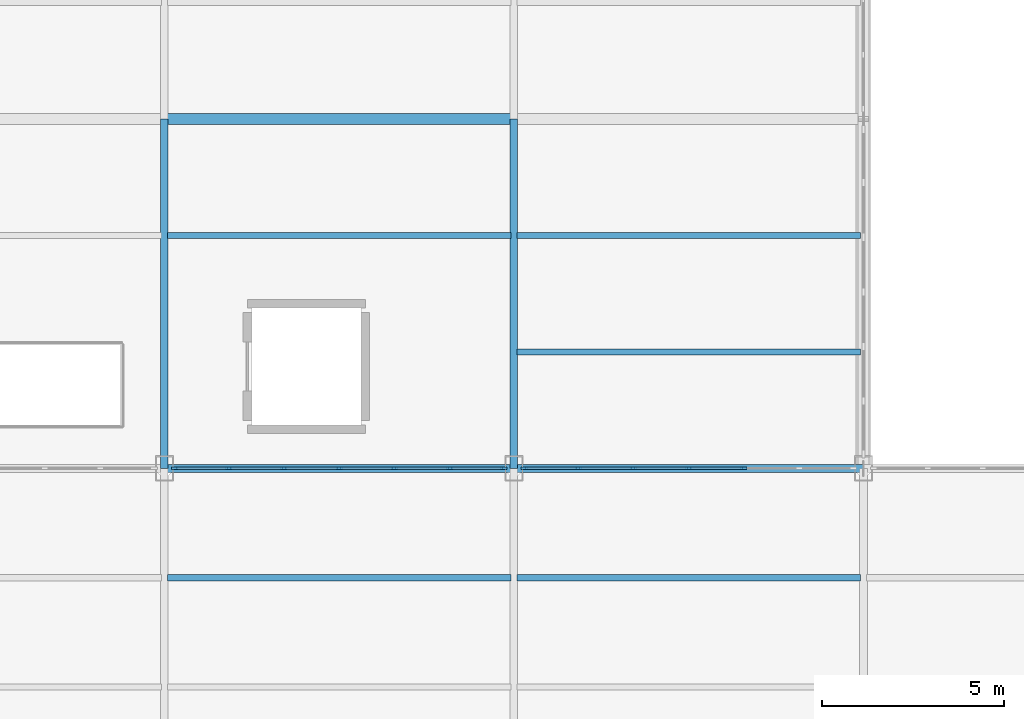
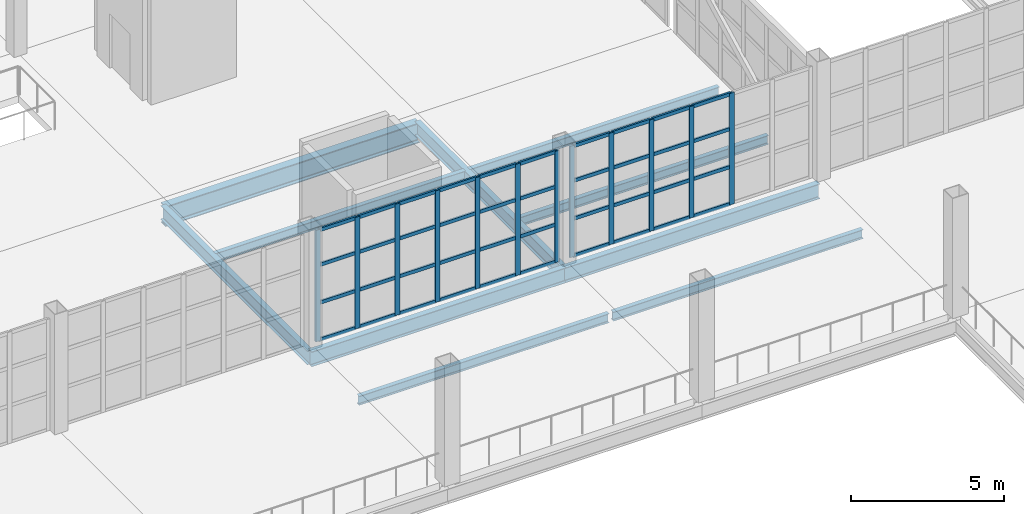
# One storey, part 46 of 120: 52 members, 10 beams, 2 elements without a shape of their own.
"""IFC4 building model written with IfcOpenShell, lengths in metres."""

from ifc_helpers import new_model, si_unit, direction, frame, origin, origin_2d, place, context, subcontext, project, spatial, rectangle, i_section, extrude, material, layer, layer_set, material_profile, profile_set, type_object, element, aggregate, save


model = new_model("IFC4")

# Units and contexts
model_context = context("Model", 3, precision=1e-05, world=origin(), true_north=direction((0.0, 1.0)))
body_context = subcontext(model_context, "Body", "Model", "MODEL_VIEW")
ifc_project = project(units=[si_unit("LENGTHUNIT", "METRE"), si_unit("AREAUNIT", "SQUARE_METRE"), si_unit("VOLUMEUNIT", "CUBIC_METRE"), si_unit("PLANEANGLEUNIT", "RADIAN"), si_unit("MASSUNIT", "GRAM", prefix="KILO")], contexts=[model_context])

# Site, building, storey
site_placement = place(None, origin())
site = spatial("IfcSite", under=ifc_project, at=site_placement, CompositionType="ELEMENT")
building_placement = place(site_placement, origin())
building = spatial("IfcBuilding", under=site, at=building_placement, Name="Zarnetskaya Central Station", CompositionType="ELEMENT")
storey_placement = place(building_placement, frame((0.0, 0.0, 5.39990234375)))
storey = spatial("IfcBuildingStorey", under=building, at=storey_placement, Name="L01", CompositionType="ELEMENT", Elevation=5.39990234375)

# Beams
ifc_material_1 = material(Name="Steel S355", Category="steel")
ifc_material_profile_1 = material_profile(ifc_material_1, i_section(OverallWidth=0.169921875, OverallDepth=0.360107421875, WebThickness=0.008056640625, FlangeThickness=0.0126953125, FilletRadius=0.01806640625, at=origin_2d()), Name="IPE 360")
ifc_profile_set_1 = profile_set([ifc_material_profile_1], Name="Steel S355")
beam_type_1 = type_object("IfcBeamType", Name="BM-SEC-360", PredefinedType="BEAM", material=ifc_profile_set_1)
beam_1_placement = place(storey_placement, frame((96.080078125, 64.199951171875, -0.4599609375), z_axis=(1.0, 0.0, 0.0), x_axis=(0.0, 1.0, 0.0)))
element("IfcBeam", 1, at=beam_1_placement, inside=storey, type_object=beam_type_1, Name="Secondary floor beam SEC-L01-Z512-LM-89-2", PredefinedType="BEAM", context=body_context, shape_type="SweptSolid", body=[
    extrude(i_section(OverallWidth=0.169921875, OverallDepth=0.360107421875, WebThickness=0.008056640625, FlangeThickness=0.0126953125, FilletRadius=0.01806640625, at=origin_2d()), origin(), (0.0, 0.0, 1.0), 9.43994140625),
])
beam_2_placement = place(storey_placement, frame((105.679931640625, 64.199951171875, -0.4599609375), z_axis=(1.0, 0.0, 0.0), x_axis=(0.0, 1.0, 0.0)))
element("IfcBeam", 2, at=beam_2_placement, inside=storey, type_object=beam_type_1, Name="Secondary floor beam SEC-L01-Z512-MN-89-2", PredefinedType="BEAM", context=body_context, shape_type="SweptSolid", body=[
    extrude(i_section(OverallWidth=0.169921875, OverallDepth=0.360107421875, WebThickness=0.008056640625, FlangeThickness=0.0126953125, FilletRadius=0.01806640625, at=origin_2d()), origin(), (0.0, 0.0, 1.0), 9.440185546875),
])
beam_3_placement = place(storey_placement, frame((96.080078125, 73.60009765625, -0.4599609375), z_axis=(1.0, 0.0, 0.0), x_axis=(0.0, 1.0, 0.0)))
element("IfcBeam", 3, at=beam_3_placement, inside=storey, type_object=beam_type_1, Name="Secondary floor beam SEC-L01-Z512-LM-910-2", PredefinedType="BEAM", context=body_context, shape_type="SweptSolid", body=[
    extrude(i_section(OverallWidth=0.169921875, OverallDepth=0.360107421875, WebThickness=0.008056640625, FlangeThickness=0.0126953125, FilletRadius=0.01806640625, at=origin_2d()), origin(), (0.0, 0.0, 1.0), 9.43994140625),
])
for number, where, z_axis, x_axis, name in (
    (4, (105.679931640625, 70.39990234375, -0.4599609375), (1.0, 0.0, 0.0), (0.0, 1.0, 0.0), "Secondary floor beam SEC-L01-Z512-MN-910-1"),
    (5, (105.679931640625, 73.60009765625, -0.4599609375), (1.0, 0.0, 0.0), (0.0, 1.0, 0.0), "Secondary floor beam SEC-L01-Z512-MN-910-2"),
):
    element("IfcBeam", number, at=place(storey_placement, frame(where, z_axis=z_axis, x_axis=x_axis)), inside=storey, type_object=beam_type_1, Name=name, PredefinedType="BEAM", context=body_context, shape_type="SweptSolid", body=[
        extrude(i_section(OverallWidth=0.169921875, OverallDepth=0.360107421875, WebThickness=0.008056640625, FlangeThickness=0.0126953125, FilletRadius=0.01806640625, at=origin_2d()), origin(), (0.0, 0.0, 1.0), 9.440185546875),
    ])

# Curtain wall, members
ifc_material_2 = material(Name="Low-E insulated glass", Category="glass")
ifc_layer_1 = layer(ifc_material_2, 0.176025390625, Name="Low-E insulated glass", Category="glass")
ifc_layer_set_1 = layer_set([ifc_layer_1], Name="Low-E insulated glass")
curtain_wall_type_1 = type_object("IfcCurtainWallType", Name="CW-SYS-15", PredefinedType="USERDEFINED", material=ifc_layer_set_1)
curtain_wall_1_placement = place(storey_placement, origin())
curtain_wall_1 = element("IfcCurtainWall", 6, at=curtain_wall_1_placement, inside=storey, type_object=curtain_wall_type_1, Name="Curtain wall CW-L01-083", ObjectType="CURTAIN WALL", PredefinedType="USERDEFINED")
ifc_material_3 = material(Name="Anodised aluminium", Category="aluminium")
ifc_material_profile_2 = material_profile(ifc_material_3, rectangle(XDim=0.070068359375, YDim=0.179931640625, at=origin_2d()), Name="ALU MULL 70x180")
ifc_profile_set_2 = profile_set([ifc_material_profile_2], Name="Anodised aluminium")
member_type_1 = type_object("IfcMemberType", Name="CW-MULL-180", PredefinedType="MULLION", material=ifc_profile_set_2)
member_1_placement = place(storey_placement, frame((96.284912109375, 67.199951171875, 0.0), z_axis=(0.0, 0.0, 1.0), x_axis=(0.0, 1.0, 0.0)))
member_1 = element("IfcMember", 7, at=member_1_placement, type_object=member_type_1, Name="CW-05 mullion 1", PredefinedType="MULLION", context=body_context, shape_type="SweptSolid", body=[
    extrude(rectangle(XDim=0.070068359375, YDim=0.179931640625, at=origin_2d()), origin(), (0.0, 0.0, 1.0), 4.4501953125),
])
member_2_placement = place(storey_placement, frame((97.7666015625, 67.199951171875, 0.0), z_axis=(0.0, 0.0, 1.0), x_axis=(0.0, 1.0, 0.0)))
member_2 = element("IfcMember", 8, at=member_2_placement, type_object=member_type_1, Name="CW-05 mullion 2", PredefinedType="MULLION", context=body_context, shape_type="SweptSolid", body=[
    extrude(rectangle(XDim=0.070068359375, YDim=0.179931640625, at=origin_2d()), origin(), (0.0, 0.0, 1.0), 4.4501953125),
])
member_3_placement = place(storey_placement, frame((99.283447265625, 67.199951171875, 0.0), z_axis=(0.0, 0.0, 1.0), x_axis=(0.0, 1.0, 0.0)))
member_3 = element("IfcMember", 9, at=member_3_placement, type_object=member_type_1, Name="CW-05 mullion 3", PredefinedType="MULLION", context=body_context, shape_type="SweptSolid", body=[
    extrude(rectangle(XDim=0.070068359375, YDim=0.179931640625, at=origin_2d()), origin(), (0.0, 0.0, 1.0), 4.4501953125),
])
member_4_placement = place(storey_placement, frame((100.800048828125, 67.199951171875, 0.0), z_axis=(0.0, 0.0, 1.0), x_axis=(0.0, 1.0, 0.0)))
member_4 = element("IfcMember", 10, at=member_4_placement, type_object=member_type_1, Name="CW-05 mullion 4", PredefinedType="MULLION", context=body_context, shape_type="SweptSolid", body=[
    extrude(rectangle(XDim=0.070068359375, YDim=0.179931640625, at=origin_2d()), origin(), (0.0, 0.0, 1.0), 4.4501953125),
])
member_5_placement = place(storey_placement, frame((102.316650390625, 67.199951171875, 0.0), z_axis=(0.0, 0.0, 1.0), x_axis=(0.0, 1.0, 0.0)))
member_5 = element("IfcMember", 11, at=member_5_placement, type_object=member_type_1, Name="CW-05 mullion 5", PredefinedType="MULLION", context=body_context, shape_type="SweptSolid", body=[
    extrude(rectangle(XDim=0.070068359375, YDim=0.179931640625, at=origin_2d()), origin(), (0.0, 0.0, 1.0), 4.4501953125),
])
member_6_placement = place(storey_placement, frame((103.833251953125, 67.199951171875, 0.0), z_axis=(0.0, 0.0, 1.0), x_axis=(0.0, 1.0, 0.0)))
member_6 = element("IfcMember", 12, at=member_6_placement, type_object=member_type_1, Name="CW-05 mullion 6", PredefinedType="MULLION", context=body_context, shape_type="SweptSolid", body=[
    extrude(rectangle(XDim=0.070068359375, YDim=0.179931640625, at=origin_2d()), origin(), (0.0, 0.0, 1.0), 4.4501953125),
])
member_7_placement = place(storey_placement, frame((105.31494140625, 67.199951171875, 0.0), z_axis=(0.0, 0.0, 1.0), x_axis=(0.0, 1.0, 0.0)))
member_7 = element("IfcMember", 13, at=member_7_placement, type_object=member_type_1, Name="CW-05 mullion 7", PredefinedType="MULLION", context=body_context, shape_type="SweptSolid", body=[
    extrude(rectangle(XDim=0.070068359375, YDim=0.179931640625, at=origin_2d()), origin(), (0.0, 0.0, 1.0), 4.4501953125),
])

ifc_layer_2 = layer(ifc_material_2, 0.159912109375, Name="Low-E insulated glass", Category="glass")
ifc_layer_set_2 = layer_set([ifc_layer_2], Name="Low-E insulated glass")
curtain_wall_type_2 = type_object("IfcCurtainWallType", Name="CW-SYS-16", PredefinedType="USERDEFINED", material=ifc_layer_set_2)
curtain_wall_2_placement = place(storey_placement, origin())
curtain_wall_2 = element("IfcCurtainWall", 14, at=curtain_wall_2_placement, inside=storey, type_object=curtain_wall_type_2, Name="Curtain wall CW-L01-085", ObjectType="CURTAIN WALL", PredefinedType="USERDEFINED")
member_8_placement = place(storey_placement, frame((105.885009765625, 67.199951171875, 0.0), z_axis=(0.0, 0.0, 1.0), x_axis=(0.0, 1.0, 0.0)))
member_8 = element("IfcMember", 15, at=member_8_placement, type_object=member_type_1, Name="CW-11 mullion 1", PredefinedType="MULLION", context=body_context, shape_type="SweptSolid", body=[
    extrude(rectangle(XDim=0.070068359375, YDim=0.179931640625, at=origin_2d()), origin(), (0.0, 0.0, 1.0), 4.4501953125),
])
member_9_placement = place(storey_placement, frame((107.36669921875, 67.199951171875, 0.0), z_axis=(0.0, 0.0, 1.0), x_axis=(0.0, 1.0, 0.0)))
member_9 = element("IfcMember", 16, at=member_9_placement, type_object=member_type_1, Name="CW-11 mullion 2", PredefinedType="MULLION", context=body_context, shape_type="SweptSolid", body=[
    extrude(rectangle(XDim=0.070068359375, YDim=0.179931640625, at=origin_2d()), origin(), (0.0, 0.0, 1.0), 4.4501953125),
])
member_10_placement = place(storey_placement, frame((108.88330078125, 67.199951171875, 0.0), z_axis=(0.0, 0.0, 1.0), x_axis=(0.0, 1.0, 0.0)))
member_10 = element("IfcMember", 17, at=member_10_placement, type_object=member_type_1, Name="CW-11 mullion 3", PredefinedType="MULLION", context=body_context, shape_type="SweptSolid", body=[
    extrude(rectangle(XDim=0.070068359375, YDim=0.179931640625, at=origin_2d()), origin(), (0.0, 0.0, 1.0), 4.4501953125),
])
member_11_placement = place(storey_placement, frame((110.39990234375, 67.199951171875, 0.0), z_axis=(0.0, 0.0, 1.0), x_axis=(0.0, 1.0, 0.0)))
member_11 = element("IfcMember", 18, at=member_11_placement, type_object=member_type_1, Name="CW-11 mullion 4", PredefinedType="MULLION", context=body_context, shape_type="SweptSolid", body=[
    extrude(rectangle(XDim=0.070068359375, YDim=0.179931640625, at=origin_2d()), origin(), (0.0, 0.0, 1.0), 4.4501953125),
])
member_12_placement = place(storey_placement, frame((111.916748046875, 67.199951171875, 0.0), z_axis=(0.0, 0.0, 1.0), x_axis=(0.0, 1.0, 0.0)))
member_12 = element("IfcMember", 19, at=member_12_placement, type_object=member_type_1, Name="CW-11 mullion 5", PredefinedType="MULLION", context=body_context, shape_type="SweptSolid", body=[
    extrude(rectangle(XDim=0.070068359375, YDim=0.179931640625, at=origin_2d()), origin(), (0.0, 0.0, 1.0), 4.4501953125),
])

# Member
ifc_material_profile_3 = material_profile(ifc_material_3, rectangle(XDim=0.070068359375, YDim=0.139892578125, at=origin_2d()), Name="ALU TRAN 70x140")
ifc_profile_set_3 = profile_set([ifc_material_profile_3], Name="Anodised aluminium")
member_type_2 = type_object("IfcMemberType", Name="CW-TRAN-140", PredefinedType="USERDEFINED", material=ifc_profile_set_3)
member_13_placement = place(storey_placement, frame((96.320068359375, 67.199951171875, 0.03515625), z_axis=(1.0, 0.0, 0.0), x_axis=(0.0, 1.0, 0.0)))
member_13 = element("IfcMember", 20, at=member_13_placement, type_object=member_type_2, Name="CW-05 transom 1.1", ObjectType="TRANSOM", PredefinedType="USERDEFINED", context=body_context, shape_type="SweptSolid", body=[
    extrude(rectangle(XDim=0.070068359375, YDim=0.139892578125, at=origin_2d()), origin(), (0.0, 0.0, 1.0), 1.41162109375),
])

member_14_placement = place(storey_placement, frame((96.320068359375, 67.199951171875, 1.51318359375), z_axis=(1.0, 0.0, 0.0), x_axis=(0.0, 1.0, 0.0)))
member_14 = element("IfcMember", 21, at=member_14_placement, type_object=member_type_2, Name="CW-05 transom 1.2", ObjectType="TRANSOM", PredefinedType="USERDEFINED", context=body_context, shape_type="SweptSolid", body=[
    extrude(rectangle(XDim=0.070068359375, YDim=0.139892578125, at=origin_2d()), origin(), (0.0, 0.0, 1.0), 1.41162109375),
])

member_15_placement = place(storey_placement, frame((96.320068359375, 67.199951171875, 3.026123046875), z_axis=(1.0, 0.0, 0.0), x_axis=(0.0, 1.0, 0.0)))
member_15 = element("IfcMember", 22, at=member_15_placement, type_object=member_type_2, Name="CW-05 transom 1.3", ObjectType="TRANSOM", PredefinedType="USERDEFINED", context=body_context, shape_type="SweptSolid", body=[
    extrude(rectangle(XDim=0.070068359375, YDim=0.139892578125, at=origin_2d()), origin(), (0.0, 0.0, 1.0), 1.41162109375),
])

member_16_placement = place(storey_placement, frame((96.320068359375, 67.199951171875, 4.4150390625), z_axis=(1.0, 0.0, 0.0), x_axis=(0.0, 1.0, 0.0)))
member_16 = element("IfcMember", 23, at=member_16_placement, type_object=member_type_2, Name="CW-05 transom 1.4", ObjectType="TRANSOM", PredefinedType="USERDEFINED", context=body_context, shape_type="SweptSolid", body=[
    extrude(rectangle(XDim=0.070068359375, YDim=0.139892578125, at=origin_2d()), origin(), (0.0, 0.0, 1.0), 1.41162109375),
])

member_17_placement = place(storey_placement, frame((97.8017578125, 67.199951171875, 0.03515625), z_axis=(1.0, 0.0, 0.0), x_axis=(0.0, 1.0, 0.0)))
member_17 = element("IfcMember", 24, at=member_17_placement, type_object=member_type_2, Name="CW-05 transom 2.1", ObjectType="TRANSOM", PredefinedType="USERDEFINED", context=body_context, shape_type="SweptSolid", body=[
    extrude(rectangle(XDim=0.070068359375, YDim=0.139892578125, at=origin_2d()), origin(), (0.0, 0.0, 1.0), 1.446533203125),
])

member_18_placement = place(storey_placement, frame((97.8017578125, 67.199951171875, 1.51318359375), z_axis=(1.0, 0.0, 0.0), x_axis=(0.0, 1.0, 0.0)))
member_18 = element("IfcMember", 25, at=member_18_placement, type_object=member_type_2, Name="CW-05 transom 2.2", ObjectType="TRANSOM", PredefinedType="USERDEFINED", context=body_context, shape_type="SweptSolid", body=[
    extrude(rectangle(XDim=0.070068359375, YDim=0.139892578125, at=origin_2d()), origin(), (0.0, 0.0, 1.0), 1.446533203125),
])

member_19_placement = place(storey_placement, frame((97.8017578125, 67.199951171875, 3.026123046875), z_axis=(1.0, 0.0, 0.0), x_axis=(0.0, 1.0, 0.0)))
member_19 = element("IfcMember", 26, at=member_19_placement, type_object=member_type_2, Name="CW-05 transom 2.3", ObjectType="TRANSOM", PredefinedType="USERDEFINED", context=body_context, shape_type="SweptSolid", body=[
    extrude(rectangle(XDim=0.070068359375, YDim=0.139892578125, at=origin_2d()), origin(), (0.0, 0.0, 1.0), 1.446533203125),
])

member_20_placement = place(storey_placement, frame((97.8017578125, 67.199951171875, 4.4150390625), z_axis=(1.0, 0.0, 0.0), x_axis=(0.0, 1.0, 0.0)))
member_20 = element("IfcMember", 27, at=member_20_placement, type_object=member_type_2, Name="CW-05 transom 2.4", ObjectType="TRANSOM", PredefinedType="USERDEFINED", context=body_context, shape_type="SweptSolid", body=[
    extrude(rectangle(XDim=0.070068359375, YDim=0.139892578125, at=origin_2d()), origin(), (0.0, 0.0, 1.0), 1.446533203125),
])

member_21_placement = place(storey_placement, frame((99.318359375, 67.199951171875, 0.03515625), z_axis=(1.0, 0.0, 0.0), x_axis=(0.0, 1.0, 0.0)))
member_21 = element("IfcMember", 28, at=member_21_placement, type_object=member_type_2, Name="CW-05 transom 3.1", ObjectType="TRANSOM", PredefinedType="USERDEFINED", context=body_context, shape_type="SweptSolid", body=[
    extrude(rectangle(XDim=0.070068359375, YDim=0.139892578125, at=origin_2d()), origin(), (0.0, 0.0, 1.0), 1.446533203125),
])

member_22_placement = place(storey_placement, frame((99.318359375, 67.199951171875, 1.51318359375), z_axis=(1.0, 0.0, 0.0), x_axis=(0.0, 1.0, 0.0)))
member_22 = element("IfcMember", 29, at=member_22_placement, type_object=member_type_2, Name="CW-05 transom 3.2", ObjectType="TRANSOM", PredefinedType="USERDEFINED", context=body_context, shape_type="SweptSolid", body=[
    extrude(rectangle(XDim=0.070068359375, YDim=0.139892578125, at=origin_2d()), origin(), (0.0, 0.0, 1.0), 1.446533203125),
])

member_23_placement = place(storey_placement, frame((99.318359375, 67.199951171875, 3.026123046875), z_axis=(1.0, 0.0, 0.0), x_axis=(0.0, 1.0, 0.0)))
member_23 = element("IfcMember", 30, at=member_23_placement, type_object=member_type_2, Name="CW-05 transom 3.3", ObjectType="TRANSOM", PredefinedType="USERDEFINED", context=body_context, shape_type="SweptSolid", body=[
    extrude(rectangle(XDim=0.070068359375, YDim=0.139892578125, at=origin_2d()), origin(), (0.0, 0.0, 1.0), 1.446533203125),
])

member_24_placement = place(storey_placement, frame((99.318359375, 67.199951171875, 4.4150390625), z_axis=(1.0, 0.0, 0.0), x_axis=(0.0, 1.0, 0.0)))
member_24 = element("IfcMember", 31, at=member_24_placement, type_object=member_type_2, Name="CW-05 transom 3.4", ObjectType="TRANSOM", PredefinedType="USERDEFINED", context=body_context, shape_type="SweptSolid", body=[
    extrude(rectangle(XDim=0.070068359375, YDim=0.139892578125, at=origin_2d()), origin(), (0.0, 0.0, 1.0), 1.446533203125),
])

member_25_placement = place(storey_placement, frame((100.8349609375, 67.199951171875, 0.03515625), z_axis=(1.0, 0.0, 0.0), x_axis=(0.0, 1.0, 0.0)))
member_25 = element("IfcMember", 32, at=member_25_placement, type_object=member_type_2, Name="CW-05 transom 4.1", ObjectType="TRANSOM", PredefinedType="USERDEFINED", context=body_context, shape_type="SweptSolid", body=[
    extrude(rectangle(XDim=0.070068359375, YDim=0.139892578125, at=origin_2d()), origin(), (0.0, 0.0, 1.0), 1.44677734375),
])

member_26_placement = place(storey_placement, frame((100.8349609375, 67.199951171875, 1.51318359375), z_axis=(1.0, 0.0, 0.0), x_axis=(0.0, 1.0, 0.0)))
member_26 = element("IfcMember", 33, at=member_26_placement, type_object=member_type_2, Name="CW-05 transom 4.2", ObjectType="TRANSOM", PredefinedType="USERDEFINED", context=body_context, shape_type="SweptSolid", body=[
    extrude(rectangle(XDim=0.070068359375, YDim=0.139892578125, at=origin_2d()), origin(), (0.0, 0.0, 1.0), 1.44677734375),
])

member_27_placement = place(storey_placement, frame((100.8349609375, 67.199951171875, 3.026123046875), z_axis=(1.0, 0.0, 0.0), x_axis=(0.0, 1.0, 0.0)))
member_27 = element("IfcMember", 34, at=member_27_placement, type_object=member_type_2, Name="CW-05 transom 4.3", ObjectType="TRANSOM", PredefinedType="USERDEFINED", context=body_context, shape_type="SweptSolid", body=[
    extrude(rectangle(XDim=0.070068359375, YDim=0.139892578125, at=origin_2d()), origin(), (0.0, 0.0, 1.0), 1.44677734375),
])

member_28_placement = place(storey_placement, frame((100.8349609375, 67.199951171875, 4.4150390625), z_axis=(1.0, 0.0, 0.0), x_axis=(0.0, 1.0, 0.0)))
member_28 = element("IfcMember", 35, at=member_28_placement, type_object=member_type_2, Name="CW-05 transom 4.4", ObjectType="TRANSOM", PredefinedType="USERDEFINED", context=body_context, shape_type="SweptSolid", body=[
    extrude(rectangle(XDim=0.070068359375, YDim=0.139892578125, at=origin_2d()), origin(), (0.0, 0.0, 1.0), 1.44677734375),
])

member_29_placement = place(storey_placement, frame((102.3515625, 67.199951171875, 0.03515625), z_axis=(1.0, 0.0, 0.0), x_axis=(0.0, 1.0, 0.0)))
member_29 = element("IfcMember", 36, at=member_29_placement, type_object=member_type_2, Name="CW-05 transom 5.1", ObjectType="TRANSOM", PredefinedType="USERDEFINED", context=body_context, shape_type="SweptSolid", body=[
    extrude(rectangle(XDim=0.070068359375, YDim=0.139892578125, at=origin_2d()), origin(), (0.0, 0.0, 1.0), 1.44677734375),
])

member_30_placement = place(storey_placement, frame((102.3515625, 67.199951171875, 1.51318359375), z_axis=(1.0, 0.0, 0.0), x_axis=(0.0, 1.0, 0.0)))
member_30 = element("IfcMember", 37, at=member_30_placement, type_object=member_type_2, Name="CW-05 transom 5.2", ObjectType="TRANSOM", PredefinedType="USERDEFINED", context=body_context, shape_type="SweptSolid", body=[
    extrude(rectangle(XDim=0.070068359375, YDim=0.139892578125, at=origin_2d()), origin(), (0.0, 0.0, 1.0), 1.44677734375),
])

member_31_placement = place(storey_placement, frame((102.3515625, 67.199951171875, 3.026123046875), z_axis=(1.0, 0.0, 0.0), x_axis=(0.0, 1.0, 0.0)))
member_31 = element("IfcMember", 38, at=member_31_placement, type_object=member_type_2, Name="CW-05 transom 5.3", ObjectType="TRANSOM", PredefinedType="USERDEFINED", context=body_context, shape_type="SweptSolid", body=[
    extrude(rectangle(XDim=0.070068359375, YDim=0.139892578125, at=origin_2d()), origin(), (0.0, 0.0, 1.0), 1.44677734375),
])

member_32_placement = place(storey_placement, frame((102.3515625, 67.199951171875, 4.4150390625), z_axis=(1.0, 0.0, 0.0), x_axis=(0.0, 1.0, 0.0)))
member_32 = element("IfcMember", 39, at=member_32_placement, type_object=member_type_2, Name="CW-05 transom 5.4", ObjectType="TRANSOM", PredefinedType="USERDEFINED", context=body_context, shape_type="SweptSolid", body=[
    extrude(rectangle(XDim=0.070068359375, YDim=0.139892578125, at=origin_2d()), origin(), (0.0, 0.0, 1.0), 1.44677734375),
])

member_33_placement = place(storey_placement, frame((103.868408203125, 67.199951171875, 0.03515625), z_axis=(1.0, 0.0, 0.0), x_axis=(0.0, 1.0, 0.0)))
member_33 = element("IfcMember", 40, at=member_33_placement, type_object=member_type_2, Name="CW-05 transom 6.1", ObjectType="TRANSOM", PredefinedType="USERDEFINED", context=body_context, shape_type="SweptSolid", body=[
    extrude(rectangle(XDim=0.070068359375, YDim=0.139892578125, at=origin_2d()), origin(), (0.0, 0.0, 1.0), 1.41162109375),
])

member_34_placement = place(storey_placement, frame((103.868408203125, 67.199951171875, 1.51318359375), z_axis=(1.0, 0.0, 0.0), x_axis=(0.0, 1.0, 0.0)))
member_34 = element("IfcMember", 41, at=member_34_placement, type_object=member_type_2, Name="CW-05 transom 6.2", ObjectType="TRANSOM", PredefinedType="USERDEFINED", context=body_context, shape_type="SweptSolid", body=[
    extrude(rectangle(XDim=0.070068359375, YDim=0.139892578125, at=origin_2d()), origin(), (0.0, 0.0, 1.0), 1.41162109375),
])

member_35_placement = place(storey_placement, frame((103.868408203125, 67.199951171875, 3.026123046875), z_axis=(1.0, 0.0, 0.0), x_axis=(0.0, 1.0, 0.0)))
member_35 = element("IfcMember", 42, at=member_35_placement, type_object=member_type_2, Name="CW-05 transom 6.3", ObjectType="TRANSOM", PredefinedType="USERDEFINED", context=body_context, shape_type="SweptSolid", body=[
    extrude(rectangle(XDim=0.070068359375, YDim=0.139892578125, at=origin_2d()), origin(), (0.0, 0.0, 1.0), 1.41162109375),
])

member_36_placement = place(storey_placement, frame((103.868408203125, 67.199951171875, 4.4150390625), z_axis=(1.0, 0.0, 0.0), x_axis=(0.0, 1.0, 0.0)))
member_36 = element("IfcMember", 43, at=member_36_placement, type_object=member_type_2, Name="CW-05 transom 6.4", ObjectType="TRANSOM", PredefinedType="USERDEFINED", context=body_context, shape_type="SweptSolid", body=[
    extrude(rectangle(XDim=0.070068359375, YDim=0.139892578125, at=origin_2d()), origin(), (0.0, 0.0, 1.0), 1.41162109375),
])

aggregate(curtain_wall_1, [member_1, member_2, member_3, member_4, member_5, member_6, member_7, member_13, member_14, member_15, member_16, member_17, member_18, member_19, member_20, member_21, member_22, member_23, member_24, member_25, member_26, member_27, member_28, member_29, member_30, member_31, member_32, member_33, member_34, member_35, member_36])

member_37_placement = place(storey_placement, frame((105.919921875, 67.199951171875, 0.03515625), z_axis=(1.0, 0.0, 0.0), x_axis=(0.0, 1.0, 0.0)))
member_37 = element("IfcMember", 44, at=member_37_placement, type_object=member_type_2, Name="CW-11 transom 1.1", ObjectType="TRANSOM", PredefinedType="USERDEFINED", context=body_context, shape_type="SweptSolid", body=[
    extrude(rectangle(XDim=0.070068359375, YDim=0.139892578125, at=origin_2d()), origin(), (0.0, 0.0, 1.0), 1.411865234375),
])

member_38_placement = place(storey_placement, frame((105.919921875, 67.199951171875, 1.51318359375), z_axis=(1.0, 0.0, 0.0), x_axis=(0.0, 1.0, 0.0)))
member_38 = element("IfcMember", 45, at=member_38_placement, type_object=member_type_2, Name="CW-11 transom 1.2", ObjectType="TRANSOM", PredefinedType="USERDEFINED", context=body_context, shape_type="SweptSolid", body=[
    extrude(rectangle(XDim=0.070068359375, YDim=0.139892578125, at=origin_2d()), origin(), (0.0, 0.0, 1.0), 1.411865234375),
])

member_39_placement = place(storey_placement, frame((105.919921875, 67.199951171875, 3.026123046875), z_axis=(1.0, 0.0, 0.0), x_axis=(0.0, 1.0, 0.0)))
member_39 = element("IfcMember", 46, at=member_39_placement, type_object=member_type_2, Name="CW-11 transom 1.3", ObjectType="TRANSOM", PredefinedType="USERDEFINED", context=body_context, shape_type="SweptSolid", body=[
    extrude(rectangle(XDim=0.070068359375, YDim=0.139892578125, at=origin_2d()), origin(), (0.0, 0.0, 1.0), 1.411865234375),
])

member_40_placement = place(storey_placement, frame((105.919921875, 67.199951171875, 4.4150390625), z_axis=(1.0, 0.0, 0.0), x_axis=(0.0, 1.0, 0.0)))
member_40 = element("IfcMember", 47, at=member_40_placement, type_object=member_type_2, Name="CW-11 transom 1.4", ObjectType="TRANSOM", PredefinedType="USERDEFINED", context=body_context, shape_type="SweptSolid", body=[
    extrude(rectangle(XDim=0.070068359375, YDim=0.139892578125, at=origin_2d()), origin(), (0.0, 0.0, 1.0), 1.411865234375),
])

member_41_placement = place(storey_placement, frame((107.401611328125, 67.199951171875, 0.03515625), z_axis=(1.0, 0.0, 0.0), x_axis=(0.0, 1.0, 0.0)))
member_41 = element("IfcMember", 48, at=member_41_placement, type_object=member_type_2, Name="CW-11 transom 2.1", ObjectType="TRANSOM", PredefinedType="USERDEFINED", context=body_context, shape_type="SweptSolid", body=[
    extrude(rectangle(XDim=0.070068359375, YDim=0.139892578125, at=origin_2d()), origin(), (0.0, 0.0, 1.0), 1.44677734375),
])

member_42_placement = place(storey_placement, frame((107.401611328125, 67.199951171875, 1.51318359375), z_axis=(1.0, 0.0, 0.0), x_axis=(0.0, 1.0, 0.0)))
member_42 = element("IfcMember", 49, at=member_42_placement, type_object=member_type_2, Name="CW-11 transom 2.2", ObjectType="TRANSOM", PredefinedType="USERDEFINED", context=body_context, shape_type="SweptSolid", body=[
    extrude(rectangle(XDim=0.070068359375, YDim=0.139892578125, at=origin_2d()), origin(), (0.0, 0.0, 1.0), 1.44677734375),
])

member_43_placement = place(storey_placement, frame((107.401611328125, 67.199951171875, 3.026123046875), z_axis=(1.0, 0.0, 0.0), x_axis=(0.0, 1.0, 0.0)))
member_43 = element("IfcMember", 50, at=member_43_placement, type_object=member_type_2, Name="CW-11 transom 2.3", ObjectType="TRANSOM", PredefinedType="USERDEFINED", context=body_context, shape_type="SweptSolid", body=[
    extrude(rectangle(XDim=0.070068359375, YDim=0.139892578125, at=origin_2d()), origin(), (0.0, 0.0, 1.0), 1.44677734375),
])

member_44_placement = place(storey_placement, frame((107.401611328125, 67.199951171875, 4.4150390625), z_axis=(1.0, 0.0, 0.0), x_axis=(0.0, 1.0, 0.0)))
member_44 = element("IfcMember", 51, at=member_44_placement, type_object=member_type_2, Name="CW-11 transom 2.4", ObjectType="TRANSOM", PredefinedType="USERDEFINED", context=body_context, shape_type="SweptSolid", body=[
    extrude(rectangle(XDim=0.070068359375, YDim=0.139892578125, at=origin_2d()), origin(), (0.0, 0.0, 1.0), 1.44677734375),
])

member_45_placement = place(storey_placement, frame((108.918212890625, 67.199951171875, 0.03515625), z_axis=(1.0, 0.0, 0.0), x_axis=(0.0, 1.0, 0.0)))
member_45 = element("IfcMember", 52, at=member_45_placement, type_object=member_type_2, Name="CW-11 transom 3.1", ObjectType="TRANSOM", PredefinedType="USERDEFINED", context=body_context, shape_type="SweptSolid", body=[
    extrude(rectangle(XDim=0.070068359375, YDim=0.139892578125, at=origin_2d()), origin(), (0.0, 0.0, 1.0), 1.44677734375),
])

member_46_placement = place(storey_placement, frame((108.918212890625, 67.199951171875, 1.51318359375), z_axis=(1.0, 0.0, 0.0), x_axis=(0.0, 1.0, 0.0)))
member_46 = element("IfcMember", 53, at=member_46_placement, type_object=member_type_2, Name="CW-11 transom 3.2", ObjectType="TRANSOM", PredefinedType="USERDEFINED", context=body_context, shape_type="SweptSolid", body=[
    extrude(rectangle(XDim=0.070068359375, YDim=0.139892578125, at=origin_2d()), origin(), (0.0, 0.0, 1.0), 1.44677734375),
])

member_47_placement = place(storey_placement, frame((108.918212890625, 67.199951171875, 3.026123046875), z_axis=(1.0, 0.0, 0.0), x_axis=(0.0, 1.0, 0.0)))
member_47 = element("IfcMember", 54, at=member_47_placement, type_object=member_type_2, Name="CW-11 transom 3.3", ObjectType="TRANSOM", PredefinedType="USERDEFINED", context=body_context, shape_type="SweptSolid", body=[
    extrude(rectangle(XDim=0.070068359375, YDim=0.139892578125, at=origin_2d()), origin(), (0.0, 0.0, 1.0), 1.44677734375),
])

member_48_placement = place(storey_placement, frame((108.918212890625, 67.199951171875, 4.4150390625), z_axis=(1.0, 0.0, 0.0), x_axis=(0.0, 1.0, 0.0)))
member_48 = element("IfcMember", 55, at=member_48_placement, type_object=member_type_2, Name="CW-11 transom 3.4", ObjectType="TRANSOM", PredefinedType="USERDEFINED", context=body_context, shape_type="SweptSolid", body=[
    extrude(rectangle(XDim=0.070068359375, YDim=0.139892578125, at=origin_2d()), origin(), (0.0, 0.0, 1.0), 1.44677734375),
])

member_49_placement = place(storey_placement, frame((110.43505859375, 67.199951171875, 0.03515625), z_axis=(1.0, 0.0, 0.0), x_axis=(0.0, 1.0, 0.0)))
member_49 = element("IfcMember", 56, at=member_49_placement, type_object=member_type_2, Name="CW-11 transom 4.1", ObjectType="TRANSOM", PredefinedType="USERDEFINED", context=body_context, shape_type="SweptSolid", body=[
    extrude(rectangle(XDim=0.070068359375, YDim=0.139892578125, at=origin_2d()), origin(), (0.0, 0.0, 1.0), 1.446533203125),
])

member_50_placement = place(storey_placement, frame((110.43505859375, 67.199951171875, 1.51318359375), z_axis=(1.0, 0.0, 0.0), x_axis=(0.0, 1.0, 0.0)))
member_50 = element("IfcMember", 57, at=member_50_placement, type_object=member_type_2, Name="CW-11 transom 4.2", ObjectType="TRANSOM", PredefinedType="USERDEFINED", context=body_context, shape_type="SweptSolid", body=[
    extrude(rectangle(XDim=0.070068359375, YDim=0.139892578125, at=origin_2d()), origin(), (0.0, 0.0, 1.0), 1.446533203125),
])

member_51_placement = place(storey_placement, frame((110.43505859375, 67.199951171875, 3.026123046875), z_axis=(1.0, 0.0, 0.0), x_axis=(0.0, 1.0, 0.0)))
member_51 = element("IfcMember", 58, at=member_51_placement, type_object=member_type_2, Name="CW-11 transom 4.3", ObjectType="TRANSOM", PredefinedType="USERDEFINED", context=body_context, shape_type="SweptSolid", body=[
    extrude(rectangle(XDim=0.070068359375, YDim=0.139892578125, at=origin_2d()), origin(), (0.0, 0.0, 1.0), 1.446533203125),
])

member_52_placement = place(storey_placement, frame((110.43505859375, 67.199951171875, 4.4150390625), z_axis=(1.0, 0.0, 0.0), x_axis=(0.0, 1.0, 0.0)))
member_52 = element("IfcMember", 59, at=member_52_placement, type_object=member_type_2, Name="CW-11 transom 4.4", ObjectType="TRANSOM", PredefinedType="USERDEFINED", context=body_context, shape_type="SweptSolid", body=[
    extrude(rectangle(XDim=0.070068359375, YDim=0.139892578125, at=origin_2d()), origin(), (0.0, 0.0, 1.0), 1.446533203125),
])

aggregate(curtain_wall_2, [member_8, member_9, member_10, member_11, member_12, member_37, member_38, member_39, member_40, member_41, member_42, member_43, member_44, member_45, member_46, member_47, member_48, member_49, member_50, member_51, member_52])

# Beams
ifc_material_profile_4 = material_profile(ifc_material_1, i_section(OverallWidth=0.300048828125, OverallDepth=0.800048828125, WebThickness=0.017578125, FlangeThickness=0.032958984375, FilletRadius=0.030029296875, at=origin_2d()), Name="HEB 800")
ifc_profile_set_4 = profile_set([ifc_material_profile_4], Name="Steel S355")
beam_type_2 = type_object("IfcBeamType", Name="GD-BRG-800", PredefinedType="USERDEFINED", material=ifc_profile_set_4)
beam_4_placement = place(storey_placement, frame((96.0, 76.800048828125, -0.679931640625), z_axis=(1.0, 0.0, 0.0), x_axis=(0.0, 1.0, 0.0)))
element("IfcBeam", 60, at=beam_4_placement, inside=storey, type_object=beam_type_2, Name="Grid girder GX-L01-10-LM", ObjectType="GIRDER", PredefinedType="USERDEFINED", context=body_context, shape_type="SweptSolid", body=[
    extrude(i_section(OverallWidth=0.300048828125, OverallDepth=0.800048828125, WebThickness=0.017578125, FlangeThickness=0.032958984375, FilletRadius=0.030029296875, at=origin_2d()), origin(), (0.0, 0.0, 1.0), 9.60009765625),
])
ifc_material_profile_5 = material_profile(ifc_material_1, i_section(OverallWidth=0.2099609375, OverallDepth=0.550048828125, WebThickness=0.010986328125, FlangeThickness=0.01708984375, FilletRadius=0.02392578125, at=origin_2d()), Name="IPE 550")
ifc_profile_set_5 = profile_set([ifc_material_profile_5], Name="Steel S355")
beam_type_3 = type_object("IfcBeamType", Name="GD-FLR-550", PredefinedType="USERDEFINED", material=ifc_profile_set_5)
for number, where, z_axis, x_axis, name in (
    (61, (96.0, 67.199951171875, -0.554931640625), (0.0, 1.0, 0.0), (-1.0, 0.0, 0.0), "Grid girder GY-L01-L-910"),
    (62, (105.60009765625, 67.199951171875, -0.554931640625), (0.0, 1.0, 0.0), (-1.0, 0.0, 0.0), "Grid girder GY-L01-M-910"),
):
    element("IfcBeam", number, at=place(storey_placement, frame(where, z_axis=z_axis, x_axis=x_axis)), inside=storey, type_object=beam_type_3, Name=name, ObjectType="GIRDER", PredefinedType="USERDEFINED", context=body_context, shape_type="SweptSolid", body=[
        extrude(i_section(OverallWidth=0.2099609375, OverallDepth=0.550048828125, WebThickness=0.010986328125, FlangeThickness=0.01708984375, FilletRadius=0.02392578125, at=origin_2d()), origin(), (0.0, 0.0, 1.0), 9.60009765625),
    ])
ifc_material_profile_6 = material_profile(ifc_material_1, i_section(OverallWidth=0.219970703125, OverallDepth=0.60009765625, WebThickness=0.011962890625, FlangeThickness=0.01904296875, FilletRadius=0.02392578125, at=origin_2d()), Name="IPE 600")
ifc_profile_set_6 = profile_set([ifc_material_profile_6], Name="Steel S355")
beam_type_4 = type_object("IfcBeamType", Name="GD-FLR-600", PredefinedType="USERDEFINED", material=ifc_profile_set_6)
beam_5_placement = place(storey_placement, frame((96.0, 67.199951171875, -0.579833984375), z_axis=(1.0, 0.0, 0.0), x_axis=(0.0, 1.0, 0.0)))
element("IfcBeam", 63, at=beam_5_placement, inside=storey, type_object=beam_type_4, Name="Grid girder GX-L01-9-LM", ObjectType="GIRDER", PredefinedType="USERDEFINED", context=body_context, shape_type="SweptSolid", body=[
    extrude(i_section(OverallWidth=0.219970703125, OverallDepth=0.60009765625, WebThickness=0.011962890625, FlangeThickness=0.01904296875, FilletRadius=0.02392578125, at=origin_2d()), origin(), (0.0, 0.0, 1.0), 9.60009765625),
])
beam_6_placement = place(storey_placement, frame((105.60009765625, 67.199951171875, -0.579833984375), z_axis=(1.0, 0.0, 0.0), x_axis=(0.0, 1.0, 0.0)))
element("IfcBeam", 64, at=beam_6_placement, inside=storey, type_object=beam_type_4, Name="Grid girder GX-L01-9-MN", ObjectType="GIRDER", PredefinedType="USERDEFINED", context=body_context, shape_type="SweptSolid", body=[
    extrude(i_section(OverallWidth=0.219970703125, OverallDepth=0.60009765625, WebThickness=0.011962890625, FlangeThickness=0.01904296875, FilletRadius=0.02392578125, at=origin_2d()), origin(), (0.0, 0.0, 1.0), 9.599853515625),
])

save(model, "model.ifc")
